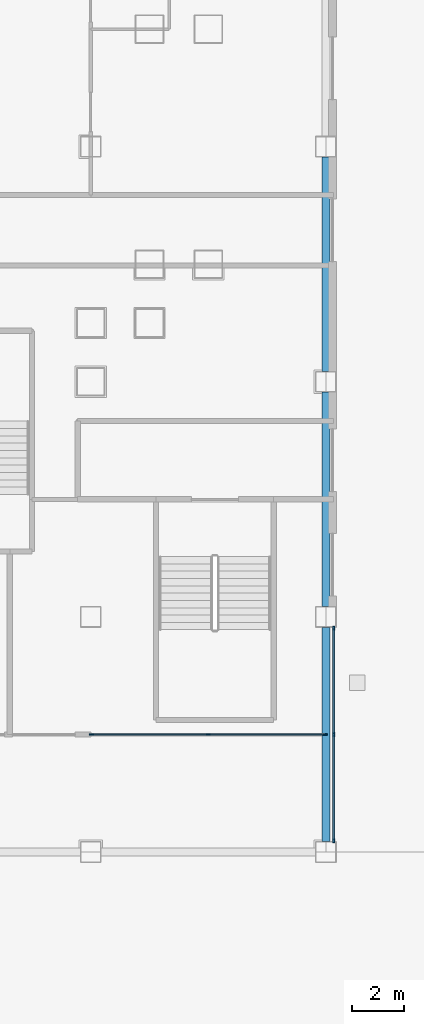
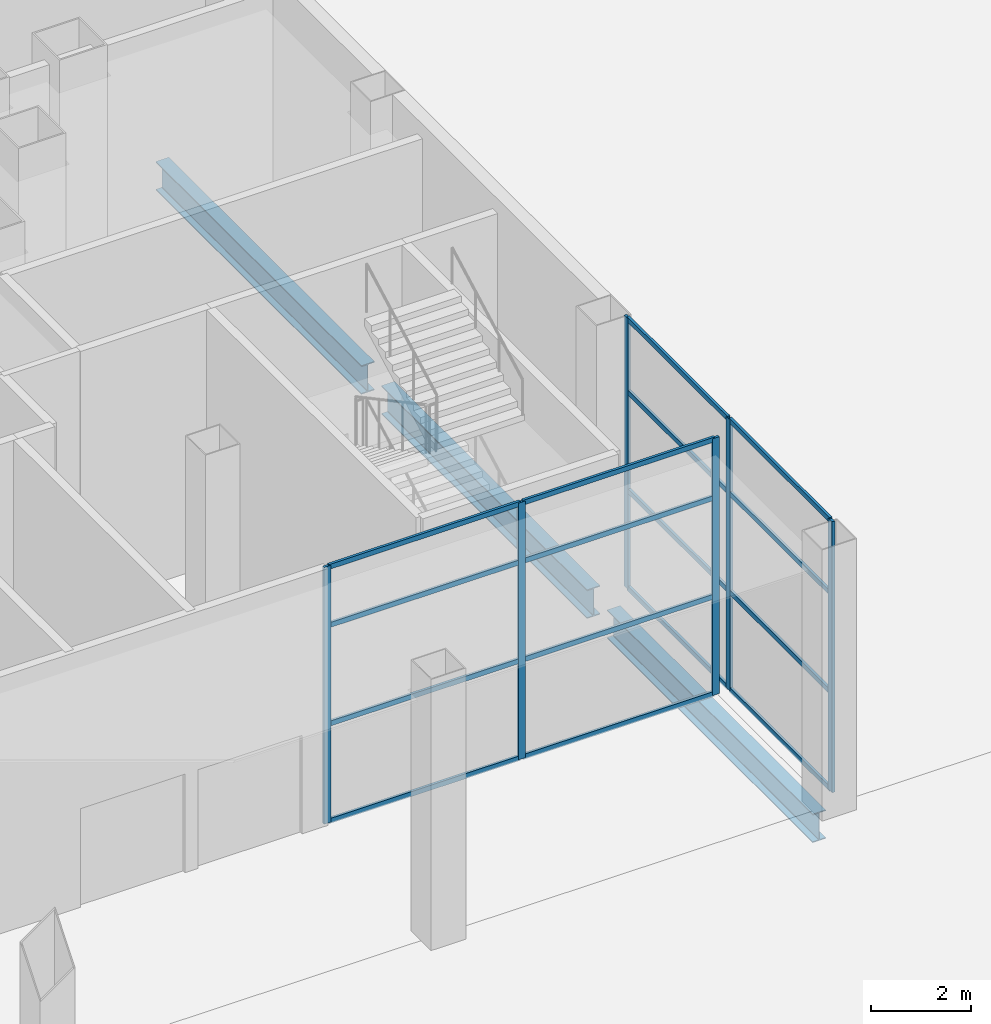
# One storey, part 6 of 38: 22 members, 3 beams, 2 elements without a shape of their own.
"""IFC4 building model written with IfcOpenShell, lengths in metres."""

import ifcopenshell
import ifcopenshell.guid

model = None  # the IFC model being written
_history = None  # IfcOwnerHistory: only IFC2X3 demands one
_inside = {}  # id of a spatial element -> (the spatial element, [elements in it])
_under = {}  # id of a project, library or spatial element -> (it, [spatial elements below it])
_declared = {}  # id of a project -> (the project, [libraries it declares])
_typed = {}  # id of a type object -> (the type object, [elements of that type])
_made_of = {}  # id of a material, layer set ... -> (it, [elements and type objects made of it])


def new_model(schema):
    """Start an empty IFC model of exactly this schema.

    Asked for "IFC4X3", IfcOpenShell would pick the latest addendum, in which some entities
    have other attributes; the version numbers below select the first issue.
    IFC2X3 requires an IfcOwnerHistory on every rooted entity: one is made here for all.
    """
    global model, _history
    if schema == "IFC4X3":
        model = ifcopenshell.file(schema_version=(4, 3, 0, 0))
    else:
        model = ifcopenshell.file(schema=schema)
    _inside.clear()
    _under.clear()
    _declared.clear()
    _typed.clear()
    _made_of.clear()
    _history = None
    if model.schema == "IFC2X3":
        org = make("IfcOrganization", Name="unknown")
        user = make(
            "IfcPersonAndOrganization",
            ThePerson=make("IfcPerson", FamilyName="unknown"),
            TheOrganization=org,
        )
        app = make(
            "IfcApplication",
            ApplicationDeveloper=org,
            Version="unknown",
            ApplicationFullName="unknown",
            ApplicationIdentifier="unknown",
        )
        _history = make(
            "IfcOwnerHistory",
            OwningUser=user,
            OwningApplication=app,
            ChangeAction="ADDED",
            CreationDate=0,
        )
    return model


def make(cls, **values):
    """One entity of the class cls with the attributes given. An attribute that is None is left unset."""
    return model.create_entity(
        cls, **{name: value for name, value in values.items() if value is not None}
    )


def rooted(cls, **values):
    """An entity with a GlobalId (a new one), such as an element, a storey or a relation."""
    return make(cls, GlobalId=ifcopenshell.guid.new(), OwnerHistory=_history, **values)


def si_unit(unit_type, name, prefix=None):
    """IfcSIUnit, for example si_unit("LENGTHUNIT", "METRE", prefix="MILLI")."""
    return make("IfcSIUnit", UnitType=unit_type, Prefix=prefix, Name=name)


def assignment(units):
    """IfcUnitAssignment: the units of a project."""
    return None if units is None else make("IfcUnitAssignment", Units=units)


def point(xyz):
    """IfcCartesianPoint."""
    return None if xyz is None else make("IfcCartesianPoint", Coordinates=xyz)


def direction(xyz):
    """IfcDirection."""
    return None if xyz is None else make("IfcDirection", DirectionRatios=xyz)


def frame(location, z_axis=None, x_axis=None):
    """IfcAxis2Placement3D, a coordinate frame: its origin and axes. An axis left out is left unset."""
    return make(
        "IfcAxis2Placement3D",
        Location=point(location),
        Axis=direction(z_axis),
        RefDirection=direction(x_axis),
    )


def frame_2d(location, x_axis=None):
    """IfcAxis2Placement2D, a coordinate frame in the plane: its origin and x axis."""
    return make(
        "IfcAxis2Placement2D", Location=point(location), RefDirection=direction(x_axis)
    )


def origin():
    """The frame at (0, 0, 0) with its axes left unset."""
    return frame((0.0, 0.0, 0.0))


def origin_2d():
    """The frame at (0, 0) in the plane with its x axis left unset."""
    return frame_2d((0.0, 0.0))


def place(relative_to, where):
    """IfcLocalPlacement: puts the frame where relative to a parent placement (None: the world)."""
    return make(
        "IfcLocalPlacement", PlacementRelTo=relative_to, RelativePlacement=where
    )


def context(
    kind, dimensions, precision=None, world=None, true_north=None, identifier=None
):
    """IfcGeometricRepresentationContext, for example the 3D "Model" context."""
    return make(
        "IfcGeometricRepresentationContext",
        ContextIdentifier=identifier,
        ContextType=kind,
        CoordinateSpaceDimension=dimensions,
        Precision=precision,
        WorldCoordinateSystem=world,
        TrueNorth=true_north,
    )


def subcontext(parent, identifier, kind, view, scale=None):
    """IfcGeometricRepresentationSubContext, for example "Body" below "Model"."""
    return make(
        "IfcGeometricRepresentationSubContext",
        ContextIdentifier=identifier,
        ContextType=kind,
        ParentContext=parent,
        TargetScale=scale,
        TargetView=view,
    )


def project(units=None, contexts=None):
    """IfcProject with its units and contexts."""
    return rooted(
        "IfcProject",
        Name="project",
        RepresentationContexts=contexts,
        UnitsInContext=assignment(units),
    )


def spatial(cls, under=None, at=None, **own):
    """A site, building, storey or space (cls), placed at a placement, below another one or the project."""
    s = rooted(cls, ObjectPlacement=at, **own)
    if under is not None:
        _under.setdefault(under.id(), (under, []))[1].append(s)
    return s


def profile(cls, at=None, kind="AREA", **sizes):
    """A parametric profile (cls). Its sizes go by their IFC names, for example OverallWidth=200.0."""
    return make(cls, ProfileType=kind, Position=at, **sizes)


def rectangle(**sizes):
    """IfcRectangleProfileDef."""
    return profile("IfcRectangleProfileDef", **sizes)


def i_section(**sizes):
    """IfcIShapeProfileDef."""
    return profile("IfcIShapeProfileDef", **sizes)


def extrude(swept, where, along, depth):
    """IfcExtrudedAreaSolid: the profile swept, set in the frame where, extruded along a direction by depth."""
    return make(
        "IfcExtrudedAreaSolid",
        SweptArea=swept,
        Position=where,
        ExtrudedDirection=direction(along),
        Depth=depth,
    )


def shape(context_of_items, identifier, shape_type, items):
    """IfcShapeRepresentation: the items that make up one representation, for example the "Body"."""
    return make(
        "IfcShapeRepresentation",
        ContextOfItems=context_of_items,
        RepresentationIdentifier=identifier,
        RepresentationType=shape_type,
        Items=items,
    )


def material(Name=None, Category=None):
    """IfcMaterial."""
    return make("IfcMaterial", Name=Name, Category=Category)


def layer(
    of_material, thickness, ventilated=None, Name=None, Category=None, Priority=None
):
    """IfcMaterialLayer: one layer of a wall or slab, of a material (None: an air gap)."""
    return make(
        "IfcMaterialLayer",
        Material=of_material,
        LayerThickness=thickness,
        IsVentilated=ventilated,
        Name=Name,
        Category=Category,
        Priority=Priority,
    )


def layer_set(layers, Name=None):
    """IfcMaterialLayerSet."""
    return make("IfcMaterialLayerSet", MaterialLayers=layers, LayerSetName=Name)


def material_profile(
    of_material, cross_section, Name=None, Category=None, Priority=None
):
    """IfcMaterialProfile: a cross section and its material."""
    return make(
        "IfcMaterialProfile",
        Name=Name,
        Material=of_material,
        Profile=cross_section,
        Priority=Priority,
        Category=Category,
    )


def profile_set(profiles, Name=None, composite=None):
    """IfcMaterialProfileSet."""
    return make(
        "IfcMaterialProfileSet",
        Name=Name,
        MaterialProfiles=profiles,
        CompositeProfile=composite,
    )


def made_of(thing, what):
    """Note that an element or type object is made of a material, layer set ...; save() writes the relation."""
    if what is not None:
        _made_of.setdefault(what.id(), (what, []))[1].append(thing)
    return thing


def type_object(cls, material=None, **own):
    """A type object (cls), such as IfcWallType, which elements share."""
    return made_of(rooted(cls, **own), material)


def element(
    cls,
    number,
    at=None,
    inside=None,
    cuts=None,
    type_object=None,
    material=None,
    context=None,
    identifier="Body",
    shape_type=None,
    held_by="IfcProductDefinitionShape",
    body=None,
    shapes=None,
    **own,
):
    """One element of the class cls, such as IfcWall. Its Tag is "e" and its number.

    at: its placement. inside: the storey or other place that contains it. cuts: it is an
    opening in that element (IfcRelVoidsElement). A single representation is given by context,
    identifier, shape_type and body (its items); several are given by shapes. held_by: the class
    of the entity that holds the representations. save() writes the other relations.
    """
    e = rooted(cls, Tag="e%d" % number, ObjectPlacement=at, **own)
    if body is not None:
        shapes = [shape(context, identifier, shape_type, body)]
    if shapes is not None:
        e.Representation = make(held_by, Representations=shapes)
    if inside is not None:
        _inside.setdefault(inside.id(), (inside, []))[1].append(e)
    if cuts is not None:
        rooted(
            "IfcRelVoidsElement", RelatingBuildingElement=cuts, RelatedOpeningElement=e
        )
    if type_object is not None:
        _typed.setdefault(type_object.id(), (type_object, []))[1].append(e)
    return made_of(e, material)


def aggregate(whole, parts):
    """IfcRelAggregates: a whole, such as a stair, and the parts it consists of."""
    return rooted("IfcRelAggregates", RelatingObject=whole, RelatedObjects=parts)


def save(model, path):
    """Write the relations noted so far, then the file.

    IfcRelAggregates (storeys below a building ...), IfcRelContainedInSpatialStructure (elements
    in a storey), IfcRelDefinesByType, IfcRelAssociatesMaterial and IfcRelDeclares: one each for
    every whole, place, type object, material and project.
    """
    for whole, parts in _under.values():
        aggregate(whole, parts)
    for where, things in _inside.values():
        rooted(
            "IfcRelContainedInSpatialStructure",
            RelatedElements=things,
            RelatingStructure=where,
        )
    for kind, things in _typed.values():
        rooted("IfcRelDefinesByType", RelatedObjects=things, RelatingType=kind)
    for what, things in _made_of.values():
        rooted("IfcRelAssociatesMaterial", RelatedObjects=things, RelatingMaterial=what)
    for by, libraries in _declared.values():
        rooted("IfcRelDeclares", RelatingContext=by, RelatedDefinitions=libraries)
    model.write(path)


model = new_model("IFC4")

# Units and contexts
model_context = context("Model", 3, precision=1e-05, world=origin(), true_north=direction((0.0, 1.0)))
body_context = subcontext(model_context, "Body", "Model", "MODEL_VIEW")
ifc_project = project(units=[si_unit("LENGTHUNIT", "METRE"), si_unit("AREAUNIT", "SQUARE_METRE"), si_unit("VOLUMEUNIT", "CUBIC_METRE"), si_unit("PLANEANGLEUNIT", "RADIAN"), si_unit("MASSUNIT", "GRAM", prefix="KILO")], contexts=[model_context])

# Site, building, storey
site_placement = place(None, origin())
site = spatial("IfcSite", under=ifc_project, at=site_placement, CompositionType="ELEMENT")
building_placement = place(site_placement, origin())
building = spatial("IfcBuilding", under=site, at=building_placement, Name="Caravel Reach Hotel and Residences", CompositionType="ELEMENT")
storey_placement = place(building_placement, origin())
storey = spatial("IfcBuildingStorey", under=building, at=storey_placement, Name="L00", CompositionType="ELEMENT", Elevation=0.0)

# Curtain wall, members
ifc_material_1 = material(Name="Dark low-e glazing in black aluminium frame", Category="aluminium")
ifc_layer_1 = layer(ifc_material_1, 0.199951171875)
ifc_layer_set_1 = layer_set([ifc_layer_1], Name="CW1 Podium storefront")
curtain_wall_type_1 = type_object("IfcCurtainWallType", Name="CW1 Podium storefront", PredefinedType="NOTDEFINED", material=ifc_layer_set_1)
curtain_wall_1_placement = place(storey_placement, origin())
curtain_wall_1 = element("IfcCurtainWall", 1, at=curtain_wall_1_placement, inside=storey, type_object=curtain_wall_type_1, Name="Podium storefront b0", PredefinedType="NOTDEFINED")
ifc_material_2 = material(Name="Anodised aluminium alloy 6063-T5, black", Category="aluminium")
ifc_material_profile_1 = material_profile(ifc_material_2, rectangle(XDim=0.06005859375, YDim=0.159912109375, at=origin_2d()), Name="CW mullion 60 x 160")
ifc_profile_set_1 = profile_set([ifc_material_profile_1], Name="Anodised aluminium alloy 6063-T5, black")
member_type_1 = type_object("IfcMemberType", Name="CW mullion 60 x 160", PredefinedType="MULLION", material=ifc_profile_set_1)
member_1_placement = place(storey_placement, frame((67.800048828125, 0.429931640625, 0.0), z_axis=(0.0, 0.0, 1.0), x_axis=(-1.0, 0.0, 0.0)))
member_1 = element("IfcMember", 2, at=member_1_placement, type_object=member_type_1, Name="CW1 mullion 1", PredefinedType="MULLION", context=body_context, shape_type="SweptSolid", body=[
    extrude(rectangle(XDim=0.06005859375, YDim=0.159912109375, at=origin_2d()), origin(), (0.0, 0.0, 1.0), 6.60009765625),
])
member_2_placement = place(storey_placement, frame((67.800048828125, 4.5, 0.0), z_axis=(0.0, 0.0, 1.0), x_axis=(-1.0, 0.0, 0.0)))
member_2 = element("IfcMember", 3, at=member_2_placement, type_object=member_type_1, Name="CW1 mullion 2", PredefinedType="MULLION", context=body_context, shape_type="SweptSolid", body=[
    extrude(rectangle(XDim=0.06005859375, YDim=0.159912109375, at=origin_2d()), origin(), (0.0, 0.0, 1.0), 6.60009765625),
])
member_3_placement = place(storey_placement, frame((67.800048828125, 8.570068359375, 0.0), z_axis=(0.0, 0.0, 1.0), x_axis=(-1.0, 0.0, 0.0)))
member_3 = element("IfcMember", 4, at=member_3_placement, type_object=member_type_1, Name="CW1 mullion 3", PredefinedType="MULLION", context=body_context, shape_type="SweptSolid", body=[
    extrude(rectangle(XDim=0.06005859375, YDim=0.159912109375, at=origin_2d()), origin(), (0.0, 0.0, 1.0), 6.60009765625),
])

ifc_material_3 = material(Name="Dark low-e glazing in black aluminium frame", Category="aluminium")
ifc_layer_2 = layer(ifc_material_3, 0.199951171875)
ifc_layer_set_2 = layer_set([ifc_layer_2], Name="CW5 Lobby glazed wall")
curtain_wall_type_2 = type_object("IfcCurtainWallType", Name="CW5 Lobby glazed wall", PredefinedType="NOTDEFINED", material=ifc_layer_set_2)
curtain_wall_2_placement = place(storey_placement, origin())
curtain_wall_2 = element("IfcCurtainWall", 5, at=curtain_wall_2_placement, inside=storey, type_object=curtain_wall_type_2, Name="Lobby glazed wall b7", PredefinedType="NOTDEFINED")
member_4_placement = place(storey_placement, frame((58.530029296875, 4.5, 0.0), z_axis=(0.0, 0.0, 1.0), x_axis=(0.0, 1.0, 0.0)))
member_4 = element("IfcMember", 6, at=member_4_placement, type_object=member_type_1, Name="CW5 mullion 1", PredefinedType="MULLION", context=body_context, shape_type="SweptSolid", body=[
    extrude(rectangle(XDim=0.06005859375, YDim=0.159912109375, at=origin_2d()), origin(), (0.0, 0.0, 1.0), 6.25),
])
member_5_placement = place(storey_placement, frame((63.0, 4.5, 0.0), z_axis=(0.0, 0.0, 1.0), x_axis=(0.0, 1.0, 0.0)))
member_5 = element("IfcMember", 7, at=member_5_placement, type_object=member_type_1, Name="CW5 mullion 2", PredefinedType="MULLION", context=body_context, shape_type="SweptSolid", body=[
    extrude(rectangle(XDim=0.06005859375, YDim=0.159912109375, at=origin_2d()), origin(), (0.0, 0.0, 1.0), 6.25),
])
member_6_placement = place(storey_placement, frame((67.469970703125, 4.5, 0.0), z_axis=(0.0, 0.0, 1.0), x_axis=(0.0, 1.0, 0.0)))
member_6 = element("IfcMember", 8, at=member_6_placement, type_object=member_type_1, Name="CW5 mullion 3", PredefinedType="MULLION", context=body_context, shape_type="SweptSolid", body=[
    extrude(rectangle(XDim=0.06005859375, YDim=0.159912109375, at=origin_2d()), origin(), (0.0, 0.0, 1.0), 6.25),
])

# Member
ifc_material_4 = material(Name="Anodised aluminium alloy 6063-T5, black", Category="aluminium")
ifc_material_profile_2 = material_profile(ifc_material_4, rectangle(XDim=0.06005859375, YDim=0.1201171875, at=origin_2d()), Name="CW transom 60 x 120")
ifc_profile_set_2 = profile_set([ifc_material_profile_2], Name="Anodised aluminium alloy 6063-T5, black")
member_type_2 = type_object("IfcMemberType", Name="CW transom 60 x 120", PredefinedType="USERDEFINED", material=ifc_profile_set_2)
member_7_placement = place(storey_placement, frame((67.800048828125, 0.4599609375, 0.030029296875), z_axis=(0.0, 1.0, 0.0), x_axis=(-1.0, 0.0, 0.0)))
member_7 = element("IfcMember", 9, at=member_7_placement, type_object=member_type_2, Name="CW1 transom 1.1", ObjectType="TRANSOM", PredefinedType="USERDEFINED", context=body_context, shape_type="SweptSolid", body=[
    extrude(rectangle(XDim=0.06005859375, YDim=0.1201171875, at=origin_2d()), origin(), (0.0, 0.0, 1.0), 4.010009765625),
])

member_8_placement = place(storey_placement, frame((67.800048828125, 0.4599609375, 2.39990234375), z_axis=(0.0, 1.0, 0.0), x_axis=(-1.0, 0.0, 0.0)))
member_8 = element("IfcMember", 10, at=member_8_placement, type_object=member_type_2, Name="CW1 transom 1.2", ObjectType="TRANSOM", PredefinedType="USERDEFINED", context=body_context, shape_type="SweptSolid", body=[
    extrude(rectangle(XDim=0.06005859375, YDim=0.1201171875, at=origin_2d()), origin(), (0.0, 0.0, 1.0), 4.010009765625),
])

member_9_placement = place(storey_placement, frame((67.800048828125, 0.4599609375, 4.800048828125), z_axis=(0.0, 1.0, 0.0), x_axis=(-1.0, 0.0, 0.0)))
member_9 = element("IfcMember", 11, at=member_9_placement, type_object=member_type_2, Name="CW1 transom 1.3", ObjectType="TRANSOM", PredefinedType="USERDEFINED", context=body_context, shape_type="SweptSolid", body=[
    extrude(rectangle(XDim=0.06005859375, YDim=0.1201171875, at=origin_2d()), origin(), (0.0, 0.0, 1.0), 4.010009765625),
])

member_10_placement = place(storey_placement, frame((67.800048828125, 0.4599609375, 6.570068359375), z_axis=(0.0, 1.0, 0.0), x_axis=(-1.0, 0.0, 0.0)))
member_10 = element("IfcMember", 12, at=member_10_placement, type_object=member_type_2, Name="CW1 transom 1.4", ObjectType="TRANSOM", PredefinedType="USERDEFINED", context=body_context, shape_type="SweptSolid", body=[
    extrude(rectangle(XDim=0.06005859375, YDim=0.1201171875, at=origin_2d()), origin(), (0.0, 0.0, 1.0), 4.010009765625),
])

member_11_placement = place(storey_placement, frame((67.800048828125, 4.530029296875, 0.030029296875), z_axis=(0.0, 1.0, 0.0), x_axis=(-1.0, 0.0, 0.0)))
member_11 = element("IfcMember", 13, at=member_11_placement, type_object=member_type_2, Name="CW1 transom 2.1", ObjectType="TRANSOM", PredefinedType="USERDEFINED", context=body_context, shape_type="SweptSolid", body=[
    extrude(rectangle(XDim=0.06005859375, YDim=0.1201171875, at=origin_2d()), origin(), (0.0, 0.0, 1.0), 4.010009765625),
])

member_12_placement = place(storey_placement, frame((67.800048828125, 4.530029296875, 2.39990234375), z_axis=(0.0, 1.0, 0.0), x_axis=(-1.0, 0.0, 0.0)))
member_12 = element("IfcMember", 14, at=member_12_placement, type_object=member_type_2, Name="CW1 transom 2.2", ObjectType="TRANSOM", PredefinedType="USERDEFINED", context=body_context, shape_type="SweptSolid", body=[
    extrude(rectangle(XDim=0.06005859375, YDim=0.1201171875, at=origin_2d()), origin(), (0.0, 0.0, 1.0), 4.010009765625),
])

member_13_placement = place(storey_placement, frame((67.800048828125, 4.530029296875, 4.800048828125), z_axis=(0.0, 1.0, 0.0), x_axis=(-1.0, 0.0, 0.0)))
member_13 = element("IfcMember", 15, at=member_13_placement, type_object=member_type_2, Name="CW1 transom 2.3", ObjectType="TRANSOM", PredefinedType="USERDEFINED", context=body_context, shape_type="SweptSolid", body=[
    extrude(rectangle(XDim=0.06005859375, YDim=0.1201171875, at=origin_2d()), origin(), (0.0, 0.0, 1.0), 4.010009765625),
])

member_14_placement = place(storey_placement, frame((67.800048828125, 4.530029296875, 6.570068359375), z_axis=(0.0, 1.0, 0.0), x_axis=(-1.0, 0.0, 0.0)))
member_14 = element("IfcMember", 16, at=member_14_placement, type_object=member_type_2, Name="CW1 transom 2.4", ObjectType="TRANSOM", PredefinedType="USERDEFINED", context=body_context, shape_type="SweptSolid", body=[
    extrude(rectangle(XDim=0.06005859375, YDim=0.1201171875, at=origin_2d()), origin(), (0.0, 0.0, 1.0), 4.010009765625),
])

aggregate(curtain_wall_1, [member_1, member_2, member_3, member_7, member_8, member_9, member_10, member_11, member_12, member_13, member_14])

member_15_placement = place(storey_placement, frame((58.56005859375, 4.5, 0.030029296875), z_axis=(1.0, 0.0, 0.0), x_axis=(0.0, 1.0, 0.0)))
member_15 = element("IfcMember", 17, at=member_15_placement, type_object=member_type_2, Name="CW5 transom 1.1", ObjectType="TRANSOM", PredefinedType="USERDEFINED", context=body_context, shape_type="SweptSolid", body=[
    extrude(rectangle(XDim=0.06005859375, YDim=0.1201171875, at=origin_2d()), origin(), (0.0, 0.0, 1.0), 4.409912109375),
])

member_16_placement = place(storey_placement, frame((58.56005859375, 4.5, 2.39990234375), z_axis=(1.0, 0.0, 0.0), x_axis=(0.0, 1.0, 0.0)))
member_16 = element("IfcMember", 18, at=member_16_placement, type_object=member_type_2, Name="CW5 transom 1.2", ObjectType="TRANSOM", PredefinedType="USERDEFINED", context=body_context, shape_type="SweptSolid", body=[
    extrude(rectangle(XDim=0.06005859375, YDim=0.1201171875, at=origin_2d()), origin(), (0.0, 0.0, 1.0), 4.409912109375),
])

member_17_placement = place(storey_placement, frame((58.56005859375, 4.5, 4.800048828125), z_axis=(1.0, 0.0, 0.0), x_axis=(0.0, 1.0, 0.0)))
member_17 = element("IfcMember", 19, at=member_17_placement, type_object=member_type_2, Name="CW5 transom 1.3", ObjectType="TRANSOM", PredefinedType="USERDEFINED", context=body_context, shape_type="SweptSolid", body=[
    extrude(rectangle(XDim=0.06005859375, YDim=0.1201171875, at=origin_2d()), origin(), (0.0, 0.0, 1.0), 4.409912109375),
])

member_18_placement = place(storey_placement, frame((58.56005859375, 4.5, 6.219970703125), z_axis=(1.0, 0.0, 0.0), x_axis=(0.0, 1.0, 0.0)))
member_18 = element("IfcMember", 20, at=member_18_placement, type_object=member_type_2, Name="CW5 transom 1.4", ObjectType="TRANSOM", PredefinedType="USERDEFINED", context=body_context, shape_type="SweptSolid", body=[
    extrude(rectangle(XDim=0.06005859375, YDim=0.1201171875, at=origin_2d()), origin(), (0.0, 0.0, 1.0), 4.409912109375),
])

member_19_placement = place(storey_placement, frame((63.030029296875, 4.5, 0.030029296875), z_axis=(1.0, 0.0, 0.0), x_axis=(0.0, 1.0, 0.0)))
member_19 = element("IfcMember", 21, at=member_19_placement, type_object=member_type_2, Name="CW5 transom 2.1", ObjectType="TRANSOM", PredefinedType="USERDEFINED", context=body_context, shape_type="SweptSolid", body=[
    extrude(rectangle(XDim=0.06005859375, YDim=0.1201171875, at=origin_2d()), origin(), (0.0, 0.0, 1.0), 4.409912109375),
])

member_20_placement = place(storey_placement, frame((63.030029296875, 4.5, 2.39990234375), z_axis=(1.0, 0.0, 0.0), x_axis=(0.0, 1.0, 0.0)))
member_20 = element("IfcMember", 22, at=member_20_placement, type_object=member_type_2, Name="CW5 transom 2.2", ObjectType="TRANSOM", PredefinedType="USERDEFINED", context=body_context, shape_type="SweptSolid", body=[
    extrude(rectangle(XDim=0.06005859375, YDim=0.1201171875, at=origin_2d()), origin(), (0.0, 0.0, 1.0), 4.409912109375),
])

member_21_placement = place(storey_placement, frame((63.030029296875, 4.5, 4.800048828125), z_axis=(1.0, 0.0, 0.0), x_axis=(0.0, 1.0, 0.0)))
member_21 = element("IfcMember", 23, at=member_21_placement, type_object=member_type_2, Name="CW5 transom 2.3", ObjectType="TRANSOM", PredefinedType="USERDEFINED", context=body_context, shape_type="SweptSolid", body=[
    extrude(rectangle(XDim=0.06005859375, YDim=0.1201171875, at=origin_2d()), origin(), (0.0, 0.0, 1.0), 4.409912109375),
])

member_22_placement = place(storey_placement, frame((63.030029296875, 4.5, 6.219970703125), z_axis=(1.0, 0.0, 0.0), x_axis=(0.0, 1.0, 0.0)))
member_22 = element("IfcMember", 24, at=member_22_placement, type_object=member_type_2, Name="CW5 transom 2.4", ObjectType="TRANSOM", PredefinedType="USERDEFINED", context=body_context, shape_type="SweptSolid", body=[
    extrude(rectangle(XDim=0.06005859375, YDim=0.1201171875, at=origin_2d()), origin(), (0.0, 0.0, 1.0), 4.409912109375),
])

aggregate(curtain_wall_2, [member_4, member_5, member_6, member_15, member_16, member_17, member_18, member_19, member_20, member_21, member_22])

# Beams
ifc_material_5 = material(Name="Structural steel Q355B", Category="steel")
ifc_material_profile_3 = material_profile(ifc_material_5, i_section(OverallWidth=0.300048828125, OverallDepth=0.699951171875, WebThickness=0.012939453125, FlangeThickness=0.02392578125, FilletRadius=0.01806640625, at=origin_2d()), Name="HN 700x300x13x24")
ifc_profile_set_3 = profile_set([ifc_material_profile_3], Name="Structural steel Q355B")
beam_type = type_object("IfcBeamType", Name="Spandrel beam HN 700x300x13x24", PredefinedType="SPANDREL", material=ifc_profile_set_3)
for number, where, z_axis, x_axis, name in (
    (25, (67.5, 0.39990234375, -0.75), (0.0, 1.0, 0.0), (-1.0, 0.0, 0.0), "SP2 HN 700x300x13x24"),
    (26, (67.5, 9.39990234375, -0.75), (0.0, 1.0, 0.0), (-1.0, 0.0, 0.0), "SP2 HN 700x300x13x24"),
    (27, (67.5, 18.39990234375, -0.75), (0.0, 1.0, 0.0), (-1.0, 0.0, 0.0), "SP2 HN 700x300x13x24"),
):
    element("IfcBeam", number, at=place(storey_placement, frame(where, z_axis=z_axis, x_axis=x_axis)), inside=storey, type_object=beam_type, Name=name, PredefinedType="SPANDREL", context=body_context, shape_type="SweptSolid", body=[
        extrude(i_section(OverallWidth=0.300048828125, OverallDepth=0.699951171875, WebThickness=0.012939453125, FlangeThickness=0.02392578125, FilletRadius=0.01806640625, at=origin_2d()), origin(), (0.0, 0.0, 1.0), 8.2001953125),
    ])

save(model, "model.ifc")
